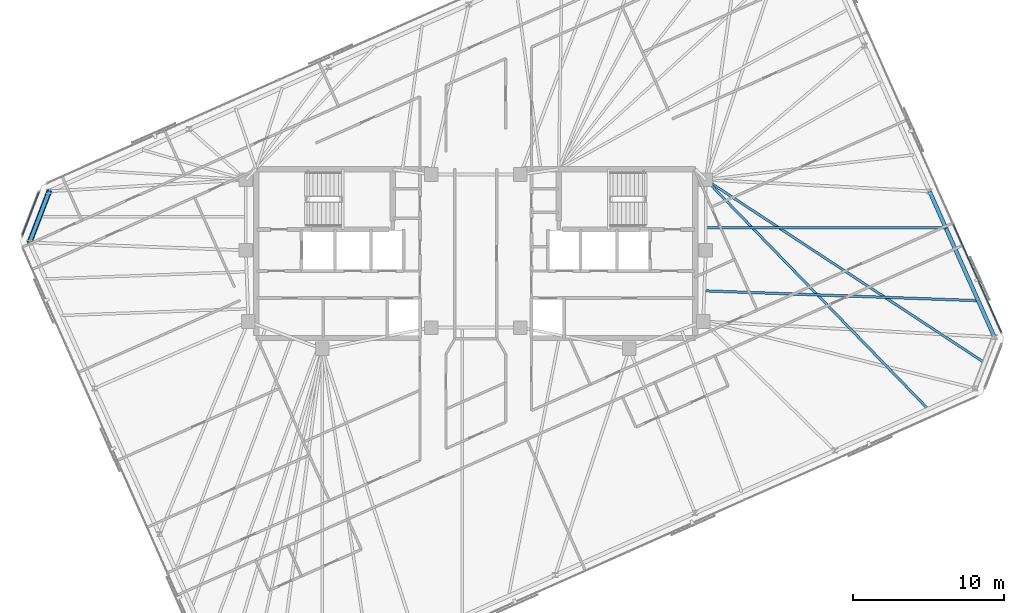
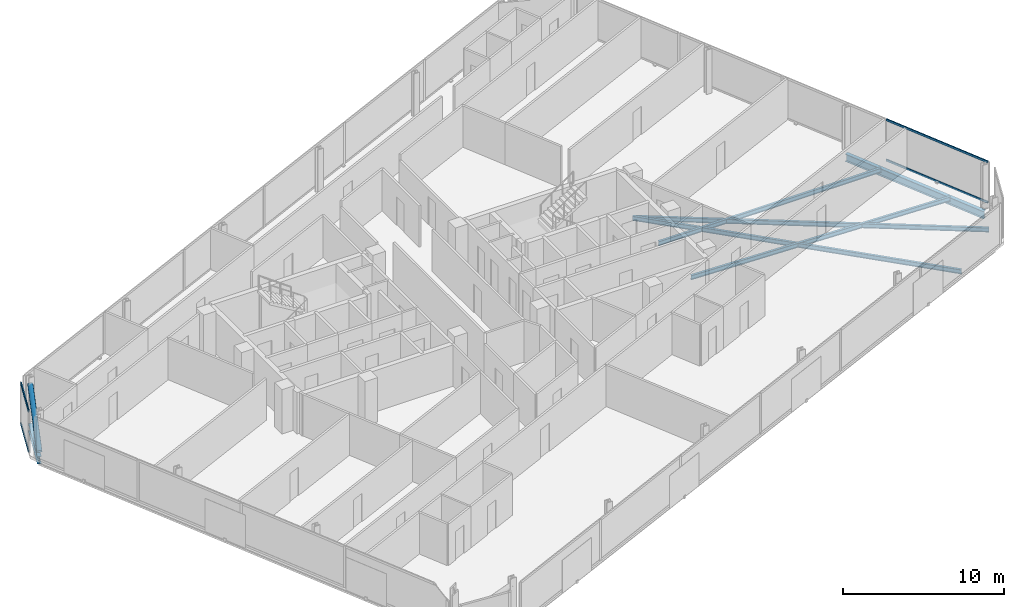
# One storey, part 8 of 18: 6 beams, 5 members, 2 elements without a shape of their own.
"""IFC4 building model written with IfcOpenShell, lengths in metres."""

from ifc_helpers import new_model, si_unit, direction, frame, origin, origin_2d, place, context, subcontext, project, spatial, rectangle, hollow_circle, i_section, extrude, material, material_profile, profile_set, type_object, element, aggregate, save


model = new_model("IFC4")

# Units and contexts
model_context = context("Model", 3, precision=1e-05, world=origin(), true_north=direction((0.0, 1.0)))
body_context = subcontext(model_context, "Body", "Model", "MODEL_VIEW")
ifc_project = project(units=[si_unit("LENGTHUNIT", "METRE"), si_unit("AREAUNIT", "SQUARE_METRE"), si_unit("VOLUMEUNIT", "CUBIC_METRE"), si_unit("PLANEANGLEUNIT", "RADIAN"), si_unit("MASSUNIT", "GRAM", prefix="KILO")], contexts=[model_context])

# Site, building, storey
site_placement = place(None, origin())
site = spatial("IfcSite", under=ifc_project, at=site_placement, CompositionType="ELEMENT")
building_placement = place(site_placement, origin())
building = spatial("IfcBuilding", under=site, at=building_placement, Name="Menara Jurai Vektor", CompositionType="ELEMENT")
storey_placement = place(building_placement, frame((0.0, 0.0, 285.25)))
storey = spatial("IfcBuildingStorey", under=building, at=storey_placement, Name="L76", CompositionType="ELEMENT", Elevation=285.25)

# Curtain wall, members
ifc_material_1 = material(Name="Anodised Pale Aluminium & Low-E Double Glazing", Category="aluminium")
curtain_wall_type = type_object("IfcCurtainWallType", Name="CW-BLK5", PredefinedType="NOTDEFINED", material=ifc_material_1)
curtain_wall_1_placement = place(storey_placement, origin())
curtain_wall_1 = element("IfcCurtainWall", 1, at=curtain_wall_1_placement, inside=storey, type_object=curtain_wall_type, Name="Unitised Curtain Wall L76 F03", PredefinedType="NOTDEFINED")
ifc_material_2 = material(Name="Anodised Pale Aluminium Transom", Category="aluminium")
ifc_material_profile_1 = material_profile(ifc_material_2, rectangle(XDim=0.074951171875, YDim=0.155029296875, at=origin_2d()), Name="ALU TRN 75x155")
ifc_profile_set_1 = profile_set([ifc_material_profile_1], Name="Anodised Pale Aluminium Transom")
member_type_1 = type_object("IfcMemberType", Name="CW-BLK5-TRN", PredefinedType="USERDEFINED", material=ifc_profile_set_1)
member_1_placement = place(storey_placement, frame((34.840087890625, -5.19189453125, 0.03759765625), z_axis=(-0.406739711224, 0.913544091609, 0.0), x_axis=(-0.913544091609, -0.406739711224, 0.0)))
member_1 = element("IfcMember", 2, at=member_1_placement, type_object=member_type_1, Name="CW-05 transom 1.1", ObjectType="TRANSOM", PredefinedType="USERDEFINED", context=body_context, shape_type="SweptSolid", body=[
    extrude(rectangle(XDim=0.074951171875, YDim=0.155029296875, at=origin_2d()), origin(), (0.0, 0.0, 1.0), 7.797607421875),
])
member_2_placement = place(storey_placement, frame((34.840087890625, -5.19189453125, 3.08740234375), z_axis=(-0.406739711224, 0.913544091609, 0.0), x_axis=(-0.913544091609, -0.406739711224, 0.0)))
member_2 = element("IfcMember", 3, at=member_2_placement, type_object=member_type_1, Name="CW-05 transom 1.2", ObjectType="TRANSOM", PredefinedType="USERDEFINED", context=body_context, shape_type="SweptSolid", body=[
    extrude(rectangle(XDim=0.074951171875, YDim=0.155029296875, at=origin_2d()), origin(), (0.0, 0.0, 1.0), 7.797607421875),
])
aggregate(curtain_wall_1, [member_1, member_2])

curtain_wall_2_placement = place(storey_placement, origin())
curtain_wall_2 = element("IfcCurtainWall", 4, at=curtain_wall_2_placement, inside=storey, type_object=curtain_wall_type, Name="Unitised Curtain Wall L76 F06", PredefinedType="NOTDEFINED")
member_3_placement = place(storey_placement, frame((-28.96923828125, 4.079345703125, 0.03759765625), z_axis=(-0.358324523823, -0.933597094911, 0.0), x_axis=(0.933597094911, -0.358324523823, 0.0)))
member_3 = element("IfcMember", 5, at=member_3_placement, type_object=member_type_1, Name="CW-05 transom 1.1", ObjectType="TRANSOM", PredefinedType="USERDEFINED", context=body_context, shape_type="SweptSolid", body=[
    extrude(rectangle(XDim=0.074951171875, YDim=0.155029296875, at=origin_2d()), origin(), (0.0, 0.0, 1.0), 3.049560546875),
])
member_4_placement = place(storey_placement, frame((-28.96923828125, 4.079345703125, 3.08740234375), z_axis=(-0.358324523823, -0.933597094911, 0.0), x_axis=(0.933597094911, -0.358324523823, 0.0)))
member_4 = element("IfcMember", 6, at=member_4_placement, type_object=member_type_1, Name="CW-05 transom 1.2", ObjectType="TRANSOM", PredefinedType="USERDEFINED", context=body_context, shape_type="SweptSolid", body=[
    extrude(rectangle(XDim=0.074951171875, YDim=0.155029296875, at=origin_2d()), origin(), (0.0, 0.0, 1.0), 3.049560546875),
])
aggregate(curtain_wall_2, [member_3, member_4])

# Member
ifc_material_3 = material(Name="Steel S460", Category="steel")
ifc_material_profile_2 = material_profile(ifc_material_3, hollow_circle(Radius=0.177734375, WallThickness=0.01611328125, at=origin_2d()), Name="CHS 355.6x16")
ifc_profile_set_2 = profile_set([ifc_material_profile_2], Name="Steel S460")
member_type_2 = type_object("IfcMemberType", Name="STR-BR-356", PredefinedType="BRACE", material=ifc_profile_set_2)
member_5_placement = place(storey_placement, frame((-29.591796875, 0.73681640625, 0.14990234375), z_axis=(0.2906257681, 0.757042028889, 0.585170085882), x_axis=(-0.933570293083, 0.358394346877, 0.0)))
element("IfcMember", 7, at=member_5_placement, inside=storey, type_object=member_type_2, Name="Exoskeleton Corner Brace L76-3", PredefinedType="BRACE", context=body_context, shape_type="SweptSolid", body=[
    extrude(hollow_circle(Radius=0.177734375, WallThickness=0.01611328125, at=origin_2d()), origin(), (0.0, 0.0, 1.0), 4.48583984375),
])

# Beams
ifc_material_4 = material(Name="Steel S355", Category="steel")
ifc_material_profile_3 = material_profile(ifc_material_4, i_section(OverallWidth=0.1650390625, OverallDepth=0.330078125, WebThickness=0.009033203125, FlangeThickness=0.013916015625, at=origin_2d()), Name="PG 330x165x46")
ifc_profile_set_3 = profile_set([ifc_material_profile_3], Name="Steel S355")
beam_type_1 = type_object("IfcBeamType", Name="STR-JS-330", PredefinedType="JOIST", material=ifc_profile_set_3)
beam_1_placement = place(storey_placement, frame((29.996826171875, -10.30908203125, -0.389892578125), z_axis=(-0.696114697983, 0.717930586653, 0.0), x_axis=(-0.717930586653, -0.696114697983, 0.0)))
element("IfcBeam", 8, at=beam_1_placement, inside=storey, type_object=beam_type_1, Name="Radial Secondary Floor Joist L76-JS06", PredefinedType="JOIST", context=body_context, shape_type="SweptSolid", body=[
    extrude(i_section(OverallWidth=0.1650390625, OverallDepth=0.330078125, WebThickness=0.009033203125, FlangeThickness=0.013916015625, at=origin_2d()), origin(), (0.0, 0.0, 1.0), 21.1845703125),
])
beam_2_placement = place(storey_placement, frame((33.739990234375, -7.23486328125, -0.389892578125), z_axis=(-0.836033194478, 0.54867886576, 0.0), x_axis=(-0.54867886576, -0.836033194478, 0.0)))
element("IfcBeam", 9, at=beam_2_placement, inside=storey, type_object=beam_type_1, Name="Radial Secondary Floor Joist L76-JS07", PredefinedType="JOIST", context=body_context, shape_type="SweptSolid", body=[
    extrude(i_section(OverallWidth=0.1650390625, OverallDepth=0.330078125, WebThickness=0.009033203125, FlangeThickness=0.013916015625, at=origin_2d()), origin(), (0.0, 0.0, 1.0), 22.116455078125),
])
beam_3_placement = place(storey_placement, frame((33.315185546875, -3.119384765625, -0.389892578125), z_axis=(-0.999351699571, 0.036002507761, 0.0), x_axis=(-0.036002507761, -0.999351699571, 0.0)))
element("IfcBeam", 10, at=beam_3_placement, inside=storey, type_object=beam_type_1, Name="Radial Secondary Floor Joist L76-JS08", PredefinedType="JOIST", context=body_context, shape_type="SweptSolid", body=[
    extrude(i_section(OverallWidth=0.1650390625, OverallDepth=0.330078125, WebThickness=0.009033203125, FlangeThickness=0.013916015625, at=origin_2d()), origin(), (0.0, 0.0, 1.0), 18.173583984375),
])
beam_4_placement = place(storey_placement, frame((31.16259765625, 1.7158203125, -0.389892578125), z_axis=(-1.0, 0.0, 0.0), x_axis=(0.0, -1.0, 0.0)))
element("IfcBeam", 11, at=beam_4_placement, inside=storey, type_object=beam_type_1, Name="Radial Secondary Floor Joist L76-JS09", PredefinedType="JOIST", context=body_context, shape_type="SweptSolid", body=[
    extrude(i_section(OverallWidth=0.1650390625, OverallDepth=0.330078125, WebThickness=0.009033203125, FlangeThickness=0.013916015625, at=origin_2d()), origin(), (0.0, 0.0, 1.0), 15.91259765625),
])
ifc_material_profile_4 = material_profile(ifc_material_4, i_section(OverallWidth=0.260009765625, OverallDepth=0.570068359375, WebThickness=0.013916015625, FlangeThickness=0.02392578125, at=origin_2d()), Name="PG 570x260x145")
ifc_profile_set_4 = profile_set([ifc_material_profile_4], Name="Steel S355")
beam_type_2 = type_object("IfcBeamType", Name="STR-SP-570", PredefinedType="SPANDREL", material=ifc_profile_set_4)
beam_5_placement = place(storey_placement, frame((34.3916015625, -5.536865234375, -0.510009765625), z_axis=(-0.40673543049, 0.91354599752, 0.0), x_axis=(-0.91354599752, -0.40673543049, 0.0)))
element("IfcBeam", 12, at=beam_5_placement, inside=storey, type_object=beam_type_2, Name="Exoskeleton Spandrel Beam L76-07", PredefinedType="SPANDREL", context=body_context, shape_type="SweptSolid", body=[
    extrude(i_section(OverallWidth=0.260009765625, OverallDepth=0.570068359375, WebThickness=0.013916015625, FlangeThickness=0.02392578125, at=origin_2d()), origin(), (0.0, 0.0, 1.0), 10.585205078125),
])
beam_6_placement = place(storey_placement, frame((-28.2880859375, 4.1328125, -0.510009765625), z_axis=(-0.358394346877, -0.933570293083, 0.0), x_axis=(0.933570293083, -0.358394346877, 0.0)))
element("IfcBeam", 13, at=beam_6_placement, inside=storey, type_object=beam_type_2, Name="Exoskeleton Spandrel Beam L76-16", PredefinedType="SPANDREL", context=body_context, shape_type="SweptSolid", body=[
    extrude(i_section(OverallWidth=0.260009765625, OverallDepth=0.570068359375, WebThickness=0.013916015625, FlangeThickness=0.02392578125, at=origin_2d()), origin(), (0.0, 0.0, 1.0), 3.6376953125),
])

save(model, "model.ifc")
